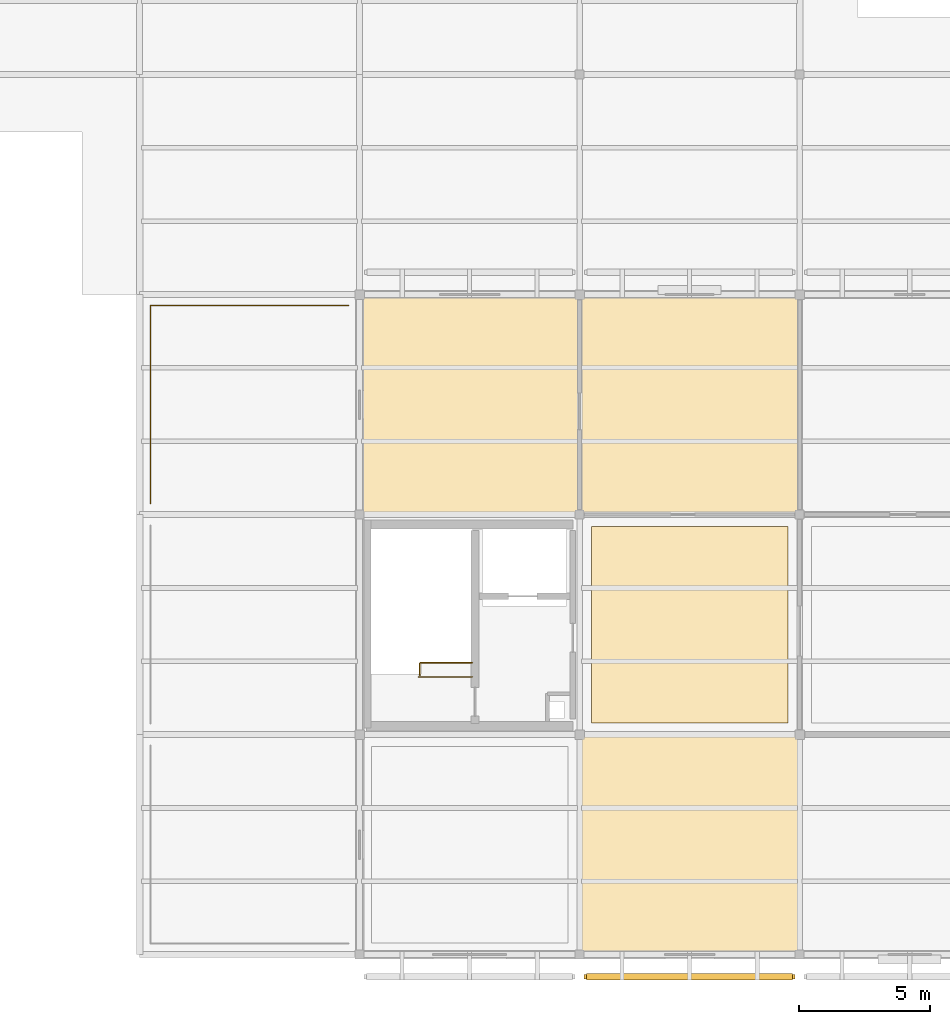
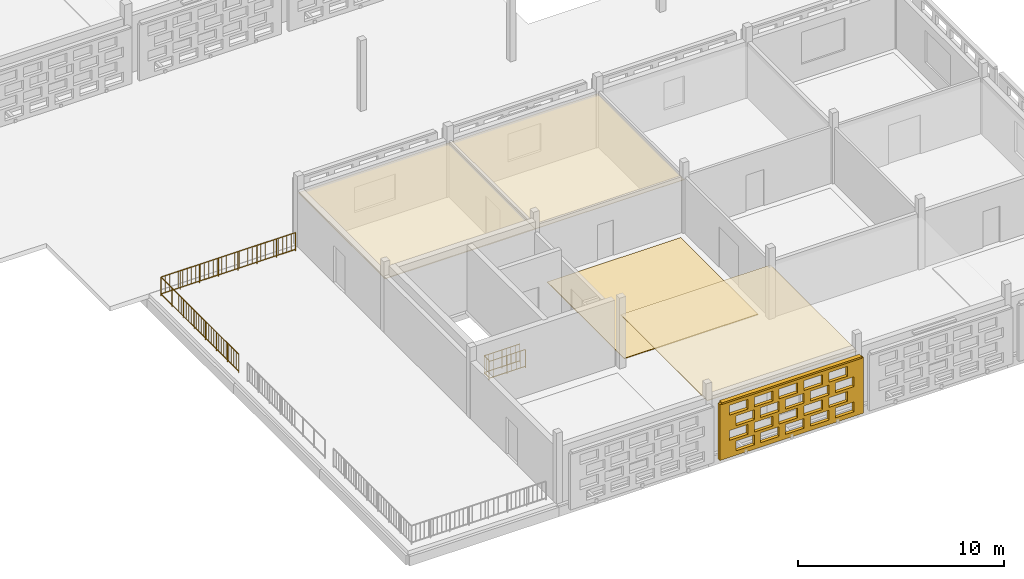
# One storey, part 80 of 103: 5 coverings, 4 railings, 1 shading device, 20 openings.
"""IFC4 building model written with IfcOpenShell, lengths in metres."""

from ifc_helpers import new_model, si_unit, direction, frame, frame_2d, origin, origin_2d, place, context, subcontext, project, spatial, rectangle, circle, extrude, material, layer, layer_set, type_object, element, save


model = new_model("IFC4")

# Units and contexts
model_context = context("Model", 3, precision=1e-05, world=origin(), true_north=direction((0.0, 1.0)))
body_context = subcontext(model_context, "Body", "Model", "MODEL_VIEW")
ifc_project = project(units=[si_unit("LENGTHUNIT", "METRE"), si_unit("AREAUNIT", "SQUARE_METRE"), si_unit("VOLUMEUNIT", "CUBIC_METRE"), si_unit("PLANEANGLEUNIT", "RADIAN"), si_unit("MASSUNIT", "GRAM", prefix="KILO")], contexts=[model_context])

# Site, building, storey
site_placement = place(None, origin())
site = spatial("IfcSite", under=ifc_project, at=site_placement, CompositionType="ELEMENT")
building_placement = place(site_placement, origin())
building = spatial("IfcBuilding", under=site, at=building_placement, Name="Varnapada Polytechnic", CompositionType="ELEMENT")
storey_placement = place(building_placement, frame((0.0, 0.0, 18.0)))
storey = spatial("IfcBuildingStorey", under=building, at=storey_placement, Name="L04", CompositionType="ELEMENT", Elevation=18.0)

# Covering
ifc_material_1 = material(Name="Acoustic Rubber Seminar Flooring")
ifc_layer_1 = layer(ifc_material_1, 0.0400390625)
ifc_layer_set_1 = layer_set([ifc_layer_1], Name="Acoustic Rubber Seminar Flooring")
covering_type_1 = type_object("IfcCoveringType", Name="Floor Finish FLR-06", PredefinedType="FLOORING", material=ifc_layer_set_1)
covering_1_placement = place(storey_placement, frame((29.39990234375, 21.0, 0.0), z_axis=(0.0, 0.0, 1.0), x_axis=(1.0, 0.0, 0.0)))
element("IfcCovering", 1, at=covering_1_placement, inside=storey, type_object=covering_type_1, Name="L04 floor finish panel (4,3)", PredefinedType="FLOORING", context=body_context, shape_type="SweptSolid", body=[
    extrude(rectangle(XDim=7.5, YDim=7.5, at=origin_2d()), origin(), (0.0, 0.0, 1.0), 0.0400390625),
])

# Railings
ifc_material_2 = material(Name="Brushed Stainless Steel 316", Category="steel")
railing_type_1 = type_object("IfcRailingType", Name="Stair Well Guard Rail SGR-01", PredefinedType="BALUSTRADE", material=ifc_material_2)
railing_1_placement = place(storey_placement, frame((21.10009765625, 19.0, 0.0)))
element("IfcRailing", 2, at=railing_1_placement, inside=storey, type_object=railing_type_1, Name="L04 ST-3 top well guard 1", PredefinedType="BALUSTRADE", context=body_context, shape_type="SweptSolid", body=[
    extrude(circle(Radius=0.02392578125, at=origin_2d()), frame((0.0, 0.0, 1.09619140625), z_axis=(-1.0, 0.0, 0.0), x_axis=(0.0, -1.0, 0.0)), (0.0, 0.0, 1.0), 2.050048828125),
    extrude(circle(Radius=0.02392578125, at=origin_2d()), frame((0.0, 0.0, 0.10009765625), z_axis=(-1.0, 0.0, 0.0), x_axis=(0.0, -1.0, 0.0)), (0.0, 0.0, 1.0), 2.050048828125),
    extrude(circle(Radius=0.02099609375, at=origin_2d()), origin(), (0.0, 0.0, 1.0), 1.072021484375),
    extrude(circle(Radius=0.02099609375, at=origin_2d()), frame((-1.02490234375, 0.0, 0.0)), (0.0, 0.0, 1.0), 1.072021484375),
    extrude(circle(Radius=0.02099609375, at=origin_2d()), frame((-2.050048828125, 0.0, 0.0)), (0.0, 0.0, 1.0), 1.072021484375),
    extrude(circle(Radius=0.010009765625, at=origin_2d()), frame((-0.25634765625, 0.0, 0.10009765625)), (0.0, 0.0, 1.0), 0.971923828125),
    extrude(circle(Radius=0.010009765625, at=origin_2d()), frame((-0.512451171875, 0.0, 0.10009765625)), (0.0, 0.0, 1.0), 0.971923828125),
    extrude(circle(Radius=0.010009765625, at=origin_2d()), frame((-0.768798828125, 0.0, 0.10009765625)), (0.0, 0.0, 1.0), 0.971923828125),
    extrude(circle(Radius=0.010009765625, at=origin_2d()), frame((-1.02490234375, 0.0, 0.10009765625)), (0.0, 0.0, 1.0), 0.971923828125),
    extrude(circle(Radius=0.010009765625, at=origin_2d()), frame((-1.28125, 0.0, 0.10009765625)), (0.0, 0.0, 1.0), 0.971923828125),
    extrude(circle(Radius=0.010009765625, at=origin_2d()), frame((-1.53759765625, 0.0, 0.10009765625)), (0.0, 0.0, 1.0), 0.971923828125),
    extrude(circle(Radius=0.010009765625, at=origin_2d()), frame((-1.793701171875, 0.0, 0.10009765625)), (0.0, 0.0, 1.0), 0.971923828125),
])
railing_2_placement = place(storey_placement, frame((19.10009765625, 19.050048828125, 0.0)))
element("IfcRailing", 3, at=railing_2_placement, inside=storey, type_object=railing_type_1, Name="L04 C3 top stair-well guard", PredefinedType="BALUSTRADE", context=body_context, shape_type="SweptSolid", body=[
    extrude(circle(Radius=0.02392578125, at=origin_2d()), frame((0.0, 0.0, 1.09619140625), z_axis=(0.0, 1.0, 0.0), x_axis=(-1.0, 0.0, 0.0)), (0.0, 0.0, 1.0), 0.489990234375),
    extrude(circle(Radius=0.02392578125, at=origin_2d()), frame((0.0, 0.0, 0.10009765625), z_axis=(0.0, 1.0, 0.0), x_axis=(-1.0, 0.0, 0.0)), (0.0, 0.0, 1.0), 0.489990234375),
    extrude(circle(Radius=0.02392578125, at=origin_2d()), frame((0.0, 0.489990234375, 1.09619140625), z_axis=(1.0, 0.0, 0.0), x_axis=(0.0, 1.0, 0.0)), (0.0, 0.0, 1.0), 2.0),
    extrude(circle(Radius=0.02392578125, at=origin_2d()), frame((0.0, 0.489990234375, 0.10009765625), z_axis=(1.0, 0.0, 0.0), x_axis=(0.0, 1.0, 0.0)), (0.0, 0.0, 1.0), 2.0),
    extrude(circle(Radius=0.02099609375, at=origin_2d()), origin(), (0.0, 0.0, 1.0), 1.072021484375),
    extrude(circle(Radius=0.02099609375, at=origin_2d()), frame((0.0, 0.489990234375, 0.0)), (0.0, 0.0, 1.0), 1.072021484375),
    extrude(circle(Radius=0.02099609375, at=origin_2d()), frame((1.0, 0.489990234375, 0.0)), (0.0, 0.0, 1.0), 1.072021484375),
    extrude(circle(Radius=0.02099609375, at=origin_2d()), frame((2.0, 0.489990234375, 0.0)), (0.0, 0.0, 1.0), 1.072021484375),
    extrude(circle(Radius=0.010009765625, at=origin_2d()), frame((0.0, 0.2451171875, 0.10009765625)), (0.0, 0.0, 1.0), 0.971923828125),
    extrude(circle(Radius=0.010009765625, at=origin_2d()), frame((0.25, 0.489990234375, 0.10009765625)), (0.0, 0.0, 1.0), 0.971923828125),
    extrude(circle(Radius=0.010009765625, at=origin_2d()), frame((0.5, 0.489990234375, 0.10009765625)), (0.0, 0.0, 1.0), 0.971923828125),
    extrude(circle(Radius=0.010009765625, at=origin_2d()), frame((0.75, 0.489990234375, 0.10009765625)), (0.0, 0.0, 1.0), 0.971923828125),
    extrude(circle(Radius=0.010009765625, at=origin_2d()), frame((1.0, 0.489990234375, 0.10009765625)), (0.0, 0.0, 1.0), 0.971923828125),
    extrude(circle(Radius=0.010009765625, at=origin_2d()), frame((1.25, 0.489990234375, 0.10009765625)), (0.0, 0.0, 1.0), 0.971923828125),
    extrude(circle(Radius=0.010009765625, at=origin_2d()), frame((1.5, 0.489990234375, 0.10009765625)), (0.0, 0.0, 1.0), 0.971923828125),
    extrude(circle(Radius=0.010009765625, at=origin_2d()), frame((1.75, 0.489990234375, 0.10009765625)), (0.0, 0.0, 1.0), 0.971923828125),
])

# Coverings
ifc_material_3 = material(Name="Mineral Fibre Acoustic Ceiling Tile")
ifc_layer_2 = layer(ifc_material_3, 0.0400390625)
ifc_layer_set_2 = layer_set([ifc_layer_2], Name="Mineral Fibre Acoustic Ceiling Tile")
covering_type_2 = type_object("IfcCoveringType", Name="Suspended Ceiling CLG-01", PredefinedType="CEILING", material=ifc_layer_set_2)
covering_2_placement = place(storey_placement, frame((29.39990234375, 12.60009765625, 3.030029296875), z_axis=(0.0, 0.0, 1.0), x_axis=(1.0, 0.0, 0.0)))
element("IfcCovering", 4, at=covering_2_placement, inside=storey, type_object=covering_type_2, Name="L04 suspended acoustic ceiling (4,2)", PredefinedType="CEILING", context=body_context, shape_type="SweptSolid", body=[
    extrude(rectangle(XDim=8.419921875, YDim=8.419921875, at=origin_2d()), origin(), (0.0, 0.0, 1.0), 0.0400390625),
])
ifc_material_4 = material(Name="Moisture-Resistant Aluminum Baffle Ceiling", Category="aluminium")
ifc_layer_3 = layer(ifc_material_4, 0.030029296875)
ifc_layer_set_3 = layer_set([ifc_layer_3], Name="Moisture-Resistant Aluminum Baffle Ceiling")
covering_type_3 = type_object("IfcCoveringType", Name="Suspended Ceiling CLG-03", PredefinedType="CEILING", material=ifc_layer_set_3)
covering_3_placement = place(storey_placement, frame((29.39990234375, 29.39990234375, 3.03515625), z_axis=(0.0, 0.0, 1.0), x_axis=(1.0, 0.0, 0.0)))
element("IfcCovering", 5, at=covering_3_placement, inside=storey, type_object=covering_type_3, Name="L04 suspended acoustic ceiling (4,4)", PredefinedType="CEILING", context=body_context, shape_type="SweptSolid", body=[
    extrude(rectangle(XDim=8.419921875, YDim=8.419921875, at=origin_2d()), origin(), (0.0, 0.0, 1.0), 0.030029296875),
])
ifc_material_5 = material(Name="Slatted Merbau Timber Acoustic Ceiling", Category="wood")
ifc_layer_4 = layer(ifc_material_5, 0.054931640625)
ifc_layer_set_4 = layer_set([ifc_layer_4], Name="Slatted Merbau Timber Acoustic Ceiling")
covering_type_4 = type_object("IfcCoveringType", Name="Suspended Ceiling CLG-05", PredefinedType="CEILING", material=ifc_layer_set_4)
covering_4_placement = place(storey_placement, frame((21.0, 29.39990234375, 3.0224609375), z_axis=(0.0, 0.0, 1.0), x_axis=(1.0, 0.0, 0.0)))
element("IfcCovering", 6, at=covering_4_placement, inside=storey, type_object=covering_type_4, Name="L04 suspended acoustic ceiling (3,4)", PredefinedType="CEILING", context=body_context, shape_type="SweptSolid", body=[
    extrude(rectangle(XDim=8.419921875, YDim=8.419921875, at=origin_2d()), origin(), (0.0, 0.0, 1.0), 0.054931640625),
])

# Railings
ifc_material_6 = material(Name="Painted galvanized steel", Category="steel")
railing_type_2 = type_object("IfcRailingType", Name="Terrace Guard Rail GRD-01", PredefinedType="BALUSTRADE", material=ifc_material_6)
railing_3_placement = place(storey_placement, frame((8.820068359375, 33.179931640625, 0.0)))
element("IfcRailing", 7, at=railing_3_placement, inside=storey, type_object=railing_type_2, Name="L04 terrace perimeter guard rail 4", PredefinedType="BALUSTRADE", context=body_context, shape_type="SweptSolid", body=[
    extrude(circle(Radius=0.02392578125, at=origin_2d()), frame((0.0, 0.0, 1.09619140625), z_axis=(1.0, 0.0, 0.0), x_axis=(0.0, 1.0, 0.0)), (0.0, 0.0, 1.0), 7.559814453125),
    extrude(circle(Radius=0.02392578125, at=origin_2d()), frame((0.0, 0.0, 0.10009765625), z_axis=(1.0, 0.0, 0.0), x_axis=(0.0, 1.0, 0.0)), (0.0, 0.0, 1.0), 7.559814453125),
    extrude(circle(Radius=0.02099609375, at=origin_2d()), origin(), (0.0, 0.0, 1.0), 1.072021484375),
    extrude(circle(Radius=0.02099609375, at=origin_2d()), frame((1.080078125, 0.0, 0.0)), (0.0, 0.0, 1.0), 1.072021484375),
    extrude(circle(Radius=0.02099609375, at=origin_2d()), frame((2.159912109375, 0.0, 0.0)), (0.0, 0.0, 1.0), 1.072021484375),
    extrude(circle(Radius=0.02099609375, at=origin_2d()), frame((3.239990234375, 0.0, 0.0)), (0.0, 0.0, 1.0), 1.072021484375),
    extrude(circle(Radius=0.02099609375, at=origin_2d()), frame((4.31982421875, 0.0, 0.0)), (0.0, 0.0, 1.0), 1.072021484375),
    extrude(circle(Radius=0.02099609375, at=origin_2d()), frame((5.39990234375, 0.0, 0.0)), (0.0, 0.0, 1.0), 1.072021484375),
    extrude(circle(Radius=0.02099609375, at=origin_2d()), frame((6.479736328125, 0.0, 0.0)), (0.0, 0.0, 1.0), 1.072021484375),
    extrude(circle(Radius=0.02099609375, at=origin_2d()), frame((7.559814453125, 0.0, 0.0)), (0.0, 0.0, 1.0), 1.072021484375),
    extrude(circle(Radius=0.010009765625, at=origin_2d()), frame((0.243896484375, 0.0, 0.10009765625)), (0.0, 0.0, 1.0), 0.971923828125),
    extrude(circle(Radius=0.010009765625, at=origin_2d()), frame((0.48779296875, 0.0, 0.10009765625)), (0.0, 0.0, 1.0), 0.971923828125),
    extrude(circle(Radius=0.010009765625, at=origin_2d()), frame((0.731689453125, 0.0, 0.10009765625)), (0.0, 0.0, 1.0), 0.971923828125),
    extrude(circle(Radius=0.010009765625, at=origin_2d()), frame((0.975341796875, 0.0, 0.10009765625)), (0.0, 0.0, 1.0), 0.971923828125),
    extrude(circle(Radius=0.010009765625, at=origin_2d()), frame((1.21923828125, 0.0, 0.10009765625)), (0.0, 0.0, 1.0), 0.971923828125),
    extrude(circle(Radius=0.010009765625, at=origin_2d()), frame((1.463134765625, 0.0, 0.10009765625)), (0.0, 0.0, 1.0), 0.971923828125),
    extrude(circle(Radius=0.010009765625, at=origin_2d()), frame((1.70703125, 0.0, 0.10009765625)), (0.0, 0.0, 1.0), 0.971923828125),
    extrude(circle(Radius=0.010009765625, at=origin_2d()), frame((1.950927734375, 0.0, 0.10009765625)), (0.0, 0.0, 1.0), 0.971923828125),
    extrude(circle(Radius=0.010009765625, at=origin_2d()), frame((2.19482421875, 0.0, 0.10009765625)), (0.0, 0.0, 1.0), 0.971923828125),
    extrude(circle(Radius=0.010009765625, at=origin_2d()), frame((2.438720703125, 0.0, 0.10009765625)), (0.0, 0.0, 1.0), 0.971923828125),
    extrude(circle(Radius=0.010009765625, at=origin_2d()), frame((2.6826171875, 0.0, 0.10009765625)), (0.0, 0.0, 1.0), 0.971923828125),
    extrude(circle(Radius=0.010009765625, at=origin_2d()), frame((2.92626953125, 0.0, 0.10009765625)), (0.0, 0.0, 1.0), 0.971923828125),
    extrude(circle(Radius=0.010009765625, at=origin_2d()), frame((3.170166015625, 0.0, 0.10009765625)), (0.0, 0.0, 1.0), 0.971923828125),
    extrude(circle(Radius=0.010009765625, at=origin_2d()), frame((3.4140625, 0.0, 0.10009765625)), (0.0, 0.0, 1.0), 0.971923828125),
    extrude(circle(Radius=0.010009765625, at=origin_2d()), frame((3.657958984375, 0.0, 0.10009765625)), (0.0, 0.0, 1.0), 0.971923828125),
    extrude(circle(Radius=0.010009765625, at=origin_2d()), frame((3.90185546875, 0.0, 0.10009765625)), (0.0, 0.0, 1.0), 0.971923828125),
    extrude(circle(Radius=0.010009765625, at=origin_2d()), frame((4.145751953125, 0.0, 0.10009765625)), (0.0, 0.0, 1.0), 0.971923828125),
    extrude(circle(Radius=0.010009765625, at=origin_2d()), frame((4.3896484375, 0.0, 0.10009765625)), (0.0, 0.0, 1.0), 0.971923828125),
    extrude(circle(Radius=0.010009765625, at=origin_2d()), frame((4.633544921875, 0.0, 0.10009765625)), (0.0, 0.0, 1.0), 0.971923828125),
    extrude(circle(Radius=0.010009765625, at=origin_2d()), frame((4.877197265625, 0.0, 0.10009765625)), (0.0, 0.0, 1.0), 0.971923828125),
    extrude(circle(Radius=0.010009765625, at=origin_2d()), frame((5.12109375, 0.0, 0.10009765625)), (0.0, 0.0, 1.0), 0.971923828125),
    extrude(circle(Radius=0.010009765625, at=origin_2d()), frame((5.364990234375, 0.0, 0.10009765625)), (0.0, 0.0, 1.0), 0.971923828125),
    extrude(circle(Radius=0.010009765625, at=origin_2d()), frame((5.60888671875, 0.0, 0.10009765625)), (0.0, 0.0, 1.0), 0.971923828125),
    extrude(circle(Radius=0.010009765625, at=origin_2d()), frame((5.852783203125, 0.0, 0.10009765625)), (0.0, 0.0, 1.0), 0.971923828125),
    extrude(circle(Radius=0.010009765625, at=origin_2d()), frame((6.0966796875, 0.0, 0.10009765625)), (0.0, 0.0, 1.0), 0.971923828125),
    extrude(circle(Radius=0.010009765625, at=origin_2d()), frame((6.340576171875, 0.0, 0.10009765625)), (0.0, 0.0, 1.0), 0.971923828125),
    extrude(circle(Radius=0.010009765625, at=origin_2d()), frame((6.58447265625, 0.0, 0.10009765625)), (0.0, 0.0, 1.0), 0.971923828125),
    extrude(circle(Radius=0.010009765625, at=origin_2d()), frame((6.828125, 0.0, 0.10009765625)), (0.0, 0.0, 1.0), 0.971923828125),
    extrude(circle(Radius=0.010009765625, at=origin_2d()), frame((7.072021484375, 0.0, 0.10009765625)), (0.0, 0.0, 1.0), 0.971923828125),
    extrude(circle(Radius=0.010009765625, at=origin_2d()), frame((7.31591796875, 0.0, 0.10009765625)), (0.0, 0.0, 1.0), 0.971923828125),
])
railing_4_placement = place(storey_placement, frame((8.820068359375, 25.6201171875, 0.0)))
element("IfcRailing", 8, at=railing_4_placement, inside=storey, type_object=railing_type_2, Name="L04 terrace perimeter guard rail 5", PredefinedType="BALUSTRADE", context=body_context, shape_type="SweptSolid", body=[
    extrude(circle(Radius=0.02392578125, at=origin_2d()), frame((0.0, 0.0, 1.09619140625), z_axis=(0.0, 1.0, 0.0), x_axis=(-1.0, 0.0, 0.0)), (0.0, 0.0, 1.0), 7.559814453125),
    extrude(circle(Radius=0.02392578125, at=origin_2d()), frame((0.0, 0.0, 0.10009765625), z_axis=(0.0, 1.0, 0.0), x_axis=(-1.0, 0.0, 0.0)), (0.0, 0.0, 1.0), 7.559814453125),
    extrude(circle(Radius=0.02099609375, at=origin_2d()), origin(), (0.0, 0.0, 1.0), 1.072021484375),
    extrude(circle(Radius=0.02099609375, at=origin_2d()), frame((0.0, 1.080078125, 0.0)), (0.0, 0.0, 1.0), 1.072021484375),
    extrude(circle(Radius=0.02099609375, at=origin_2d()), frame((0.0, 2.159912109375, 0.0)), (0.0, 0.0, 1.0), 1.072021484375),
    extrude(circle(Radius=0.02099609375, at=origin_2d()), frame((0.0, 3.239990234375, 0.0)), (0.0, 0.0, 1.0), 1.072021484375),
    extrude(circle(Radius=0.02099609375, at=origin_2d()), frame((0.0, 4.31982421875, 0.0)), (0.0, 0.0, 1.0), 1.072021484375),
    extrude(circle(Radius=0.02099609375, at=origin_2d()), frame((0.0, 5.39990234375, 0.0)), (0.0, 0.0, 1.0), 1.072021484375),
    extrude(circle(Radius=0.02099609375, at=origin_2d()), frame((0.0, 6.479736328125, 0.0)), (0.0, 0.0, 1.0), 1.072021484375),
    extrude(circle(Radius=0.02099609375, at=origin_2d()), frame((0.0, 7.559814453125, 0.0)), (0.0, 0.0, 1.0), 1.072021484375),
    extrude(circle(Radius=0.010009765625, at=origin_2d()), frame((0.0, 0.243896484375, 0.10009765625)), (0.0, 0.0, 1.0), 0.971923828125),
    extrude(circle(Radius=0.010009765625, at=origin_2d()), frame((0.0, 0.48779296875, 0.10009765625)), (0.0, 0.0, 1.0), 0.971923828125),
    extrude(circle(Radius=0.010009765625, at=origin_2d()), frame((0.0, 0.731689453125, 0.10009765625)), (0.0, 0.0, 1.0), 0.971923828125),
    extrude(circle(Radius=0.010009765625, at=origin_2d()), frame((0.0, 0.975341796875, 0.10009765625)), (0.0, 0.0, 1.0), 0.971923828125),
    extrude(circle(Radius=0.010009765625, at=origin_2d()), frame((0.0, 1.21923828125, 0.10009765625)), (0.0, 0.0, 1.0), 0.971923828125),
    extrude(circle(Radius=0.010009765625, at=origin_2d()), frame((0.0, 1.463134765625, 0.10009765625)), (0.0, 0.0, 1.0), 0.971923828125),
    extrude(circle(Radius=0.010009765625, at=origin_2d()), frame((0.0, 1.70703125, 0.10009765625)), (0.0, 0.0, 1.0), 0.971923828125),
    extrude(circle(Radius=0.010009765625, at=origin_2d()), frame((0.0, 1.950927734375, 0.10009765625)), (0.0, 0.0, 1.0), 0.971923828125),
    extrude(circle(Radius=0.010009765625, at=origin_2d()), frame((0.0, 2.19482421875, 0.10009765625)), (0.0, 0.0, 1.0), 0.971923828125),
    extrude(circle(Radius=0.010009765625, at=origin_2d()), frame((0.0, 2.438720703125, 0.10009765625)), (0.0, 0.0, 1.0), 0.971923828125),
    extrude(circle(Radius=0.010009765625, at=origin_2d()), frame((0.0, 2.6826171875, 0.10009765625)), (0.0, 0.0, 1.0), 0.971923828125),
    extrude(circle(Radius=0.010009765625, at=origin_2d()), frame((0.0, 2.92626953125, 0.10009765625)), (0.0, 0.0, 1.0), 0.971923828125),
    extrude(circle(Radius=0.010009765625, at=origin_2d()), frame((0.0, 3.170166015625, 0.10009765625)), (0.0, 0.0, 1.0), 0.971923828125),
    extrude(circle(Radius=0.010009765625, at=origin_2d()), frame((0.0, 3.4140625, 0.10009765625)), (0.0, 0.0, 1.0), 0.971923828125),
    extrude(circle(Radius=0.010009765625, at=origin_2d()), frame((0.0, 3.657958984375, 0.10009765625)), (0.0, 0.0, 1.0), 0.971923828125),
    extrude(circle(Radius=0.010009765625, at=origin_2d()), frame((0.0, 3.90185546875, 0.10009765625)), (0.0, 0.0, 1.0), 0.971923828125),
    extrude(circle(Radius=0.010009765625, at=origin_2d()), frame((0.0, 4.145751953125, 0.10009765625)), (0.0, 0.0, 1.0), 0.971923828125),
    extrude(circle(Radius=0.010009765625, at=origin_2d()), frame((0.0, 4.3896484375, 0.10009765625)), (0.0, 0.0, 1.0), 0.971923828125),
    extrude(circle(Radius=0.010009765625, at=origin_2d()), frame((0.0, 4.633544921875, 0.10009765625)), (0.0, 0.0, 1.0), 0.971923828125),
    extrude(circle(Radius=0.010009765625, at=origin_2d()), frame((0.0, 4.877197265625, 0.10009765625)), (0.0, 0.0, 1.0), 0.971923828125),
    extrude(circle(Radius=0.010009765625, at=origin_2d()), frame((0.0, 5.12109375, 0.10009765625)), (0.0, 0.0, 1.0), 0.971923828125),
    extrude(circle(Radius=0.010009765625, at=origin_2d()), frame((0.0, 5.364990234375, 0.10009765625)), (0.0, 0.0, 1.0), 0.971923828125),
    extrude(circle(Radius=0.010009765625, at=origin_2d()), frame((0.0, 5.60888671875, 0.10009765625)), (0.0, 0.0, 1.0), 0.971923828125),
    extrude(circle(Radius=0.010009765625, at=origin_2d()), frame((0.0, 5.852783203125, 0.10009765625)), (0.0, 0.0, 1.0), 0.971923828125),
    extrude(circle(Radius=0.010009765625, at=origin_2d()), frame((0.0, 6.0966796875, 0.10009765625)), (0.0, 0.0, 1.0), 0.971923828125),
    extrude(circle(Radius=0.010009765625, at=origin_2d()), frame((0.0, 6.340576171875, 0.10009765625)), (0.0, 0.0, 1.0), 0.971923828125),
    extrude(circle(Radius=0.010009765625, at=origin_2d()), frame((0.0, 6.58447265625, 0.10009765625)), (0.0, 0.0, 1.0), 0.971923828125),
    extrude(circle(Radius=0.010009765625, at=origin_2d()), frame((0.0, 6.828125, 0.10009765625)), (0.0, 0.0, 1.0), 0.971923828125),
    extrude(circle(Radius=0.010009765625, at=origin_2d()), frame((0.0, 7.072021484375, 0.10009765625)), (0.0, 0.0, 1.0), 0.971923828125),
    extrude(circle(Radius=0.010009765625, at=origin_2d()), frame((0.0, 7.31591796875, 0.10009765625)), (0.0, 0.0, 1.0), 0.971923828125),
])

# Covering, openings
ifc_material_7 = material(Name="Earth-toned architectural terracotta screen block", Category="masonry")
ifc_layer_5 = layer(ifc_material_7, 0.1201171875)
ifc_layer_set_5 = layer_set([ifc_layer_5], Name="Earth-toned architectural terracotta screen block")
covering_type_5 = type_object("IfcCoveringType", Name="Terracotta Screen Cladding CLD-01", PredefinedType="CLADDING", material=ifc_layer_set_5)
covering_5_placement = place(storey_placement, frame((33.429931640625, 7.550048828125, 0.0), z_axis=(0.0, 0.0, 1.0), x_axis=(-1.0, 0.0, 0.0)))
covering_5 = element("IfcCovering", 9, at=covering_5_placement, inside=storey, type_object=covering_type_5, Name="L04 perforated terracotta block screen (21)", PredefinedType="CLADDING", context=body_context, shape_type="SweptSolid", body=[
    extrude(rectangle(XDim=8.059814453125, YDim=0.179931640625, at=frame_2d((4.02978515625, 0.0))), origin(), (0.0, 0.0, 1.0), 3.320068359375),
])
opening_1_placement = place(covering_5_placement, frame((0.530029296875, 0.0, 0.265625)))
element("IfcOpeningElement", 10, at=opening_1_placement, cuts=covering_5, Name="Screen perforation TBS-L04-020.1", PredefinedType="OPENING", context=body_context, shape_type="SweptSolid", body=[
    extrude(rectangle(XDim=1.0400390625, YDim=0.5810546875, at=frame_2d((0.52001953125, 0.29052734375))), frame((0.0, 0.099853515625, 0.0), z_axis=(0.0, -1.0, 0.0), x_axis=(1.0, 0.0, 0.0)), (0.0, 0.0, 1.0), 0.199951171875),
])
opening_2_placement = place(covering_5_placement, frame((1.929931640625, 0.0, 0.265625)))
element("IfcOpeningElement", 11, at=opening_2_placement, cuts=covering_5, Name="Screen perforation TBS-L04-020.2", PredefinedType="OPENING", context=body_context, shape_type="SweptSolid", body=[
    extrude(rectangle(XDim=1.0400390625, YDim=0.5810546875, at=frame_2d((0.52001953125, 0.29052734375))), frame((0.0, 0.099853515625, 0.0), z_axis=(0.0, -1.0, 0.0), x_axis=(1.0, 0.0, 0.0)), (0.0, 0.0, 1.0), 0.199951171875),
])
opening_3_placement = place(covering_5_placement, frame((3.330078125, 0.0, 0.265625)))
element("IfcOpeningElement", 12, at=opening_3_placement, cuts=covering_5, Name="Screen perforation TBS-L04-020.3", PredefinedType="OPENING", context=body_context, shape_type="SweptSolid", body=[
    extrude(rectangle(XDim=1.0400390625, YDim=0.5810546875, at=frame_2d((0.52001953125, 0.29052734375))), frame((0.0, 0.099853515625, 0.0), z_axis=(0.0, -1.0, 0.0), x_axis=(1.0, 0.0, 0.0)), (0.0, 0.0, 1.0), 0.199951171875),
])
opening_4_placement = place(covering_5_placement, frame((4.72998046875, 0.0, 0.265625)))
element("IfcOpeningElement", 13, at=opening_4_placement, cuts=covering_5, Name="Screen perforation TBS-L04-020.4", PredefinedType="OPENING", context=body_context, shape_type="SweptSolid", body=[
    extrude(rectangle(XDim=1.0400390625, YDim=0.5810546875, at=frame_2d((0.52001953125, 0.29052734375))), frame((0.0, 0.099853515625, 0.0), z_axis=(0.0, -1.0, 0.0), x_axis=(1.0, 0.0, 0.0)), (0.0, 0.0, 1.0), 0.199951171875),
])
opening_5_placement = place(covering_5_placement, frame((6.1298828125, 0.0, 0.265625)))
element("IfcOpeningElement", 14, at=opening_5_placement, cuts=covering_5, Name="Screen perforation TBS-L04-020.5", PredefinedType="OPENING", context=body_context, shape_type="SweptSolid", body=[
    extrude(rectangle(XDim=1.0400390625, YDim=0.5810546875, at=frame_2d((0.52001953125, 0.29052734375))), frame((0.0, 0.099853515625, 0.0), z_axis=(0.0, -1.0, 0.0), x_axis=(1.0, 0.0, 0.0)), (0.0, 0.0, 1.0), 0.199951171875),
])
opening_6_placement = place(covering_5_placement, frame((0.889892578125, 0.0, 1.0126953125)))
element("IfcOpeningElement", 15, at=opening_6_placement, cuts=covering_5, Name="Screen perforation TBS-L04-020.6", PredefinedType="OPENING", context=body_context, shape_type="SweptSolid", body=[
    extrude(rectangle(XDim=1.0400390625, YDim=0.5810546875, at=frame_2d((0.52001953125, 0.29052734375))), frame((0.0, 0.099853515625, 0.0), z_axis=(0.0, -1.0, 0.0), x_axis=(1.0, 0.0, 0.0)), (0.0, 0.0, 1.0), 0.199951171875),
])
opening_7_placement = place(covering_5_placement, frame((2.2900390625, 0.0, 1.0126953125)))
element("IfcOpeningElement", 16, at=opening_7_placement, cuts=covering_5, Name="Screen perforation TBS-L04-020.7", PredefinedType="OPENING", context=body_context, shape_type="SweptSolid", body=[
    extrude(rectangle(XDim=1.0400390625, YDim=0.5810546875, at=frame_2d((0.52001953125, 0.29052734375))), frame((0.0, 0.099853515625, 0.0), z_axis=(0.0, -1.0, 0.0), x_axis=(1.0, 0.0, 0.0)), (0.0, 0.0, 1.0), 0.199951171875),
])
opening_8_placement = place(covering_5_placement, frame((3.68994140625, 0.0, 1.0126953125)))
element("IfcOpeningElement", 17, at=opening_8_placement, cuts=covering_5, Name="Screen perforation TBS-L04-020.8", PredefinedType="OPENING", context=body_context, shape_type="SweptSolid", body=[
    extrude(rectangle(XDim=1.0400390625, YDim=0.5810546875, at=frame_2d((0.52001953125, 0.29052734375))), frame((0.0, 0.099853515625, 0.0), z_axis=(0.0, -1.0, 0.0), x_axis=(1.0, 0.0, 0.0)), (0.0, 0.0, 1.0), 0.199951171875),
])
opening_9_placement = place(covering_5_placement, frame((5.090087890625, 0.0, 1.0126953125)))
element("IfcOpeningElement", 18, at=opening_9_placement, cuts=covering_5, Name="Screen perforation TBS-L04-020.9", PredefinedType="OPENING", context=body_context, shape_type="SweptSolid", body=[
    extrude(rectangle(XDim=1.0400390625, YDim=0.5810546875, at=frame_2d((0.52001953125, 0.29052734375))), frame((0.0, 0.099853515625, 0.0), z_axis=(0.0, -1.0, 0.0), x_axis=(1.0, 0.0, 0.0)), (0.0, 0.0, 1.0), 0.199951171875),
])
opening_10_placement = place(covering_5_placement, frame((6.489990234375, 0.0, 1.0126953125)))
element("IfcOpeningElement", 19, at=opening_10_placement, cuts=covering_5, Name="Screen perforation TBS-L04-020.10", PredefinedType="OPENING", context=body_context, shape_type="SweptSolid", body=[
    extrude(rectangle(XDim=1.0400390625, YDim=0.5810546875, at=frame_2d((0.52001953125, 0.29052734375))), frame((0.0, 0.099853515625, 0.0), z_axis=(0.0, -1.0, 0.0), x_axis=(1.0, 0.0, 0.0)), (0.0, 0.0, 1.0), 0.199951171875),
])
opening_11_placement = place(covering_5_placement, frame((0.530029296875, 0.0, 1.759521484375)))
element("IfcOpeningElement", 20, at=opening_11_placement, cuts=covering_5, Name="Screen perforation TBS-L04-020.11", PredefinedType="OPENING", context=body_context, shape_type="SweptSolid", body=[
    extrude(rectangle(XDim=1.0400390625, YDim=0.5810546875, at=frame_2d((0.52001953125, 0.29052734375))), frame((0.0, 0.099853515625, 0.0), z_axis=(0.0, -1.0, 0.0), x_axis=(1.0, 0.0, 0.0)), (0.0, 0.0, 1.0), 0.199951171875),
])
opening_12_placement = place(covering_5_placement, frame((1.929931640625, 0.0, 1.759521484375)))
element("IfcOpeningElement", 21, at=opening_12_placement, cuts=covering_5, Name="Screen perforation TBS-L04-020.12", PredefinedType="OPENING", context=body_context, shape_type="SweptSolid", body=[
    extrude(rectangle(XDim=1.0400390625, YDim=0.5810546875, at=frame_2d((0.52001953125, 0.29052734375))), frame((0.0, 0.099853515625, 0.0), z_axis=(0.0, -1.0, 0.0), x_axis=(1.0, 0.0, 0.0)), (0.0, 0.0, 1.0), 0.199951171875),
])
opening_13_placement = place(covering_5_placement, frame((3.330078125, 0.0, 1.759521484375)))
element("IfcOpeningElement", 22, at=opening_13_placement, cuts=covering_5, Name="Screen perforation TBS-L04-020.13", PredefinedType="OPENING", context=body_context, shape_type="SweptSolid", body=[
    extrude(rectangle(XDim=1.0400390625, YDim=0.5810546875, at=frame_2d((0.52001953125, 0.29052734375))), frame((0.0, 0.099853515625, 0.0), z_axis=(0.0, -1.0, 0.0), x_axis=(1.0, 0.0, 0.0)), (0.0, 0.0, 1.0), 0.199951171875),
])
opening_14_placement = place(covering_5_placement, frame((4.72998046875, 0.0, 1.759521484375)))
element("IfcOpeningElement", 23, at=opening_14_placement, cuts=covering_5, Name="Screen perforation TBS-L04-020.14", PredefinedType="OPENING", context=body_context, shape_type="SweptSolid", body=[
    extrude(rectangle(XDim=1.0400390625, YDim=0.5810546875, at=frame_2d((0.52001953125, 0.29052734375))), frame((0.0, 0.099853515625, 0.0), z_axis=(0.0, -1.0, 0.0), x_axis=(1.0, 0.0, 0.0)), (0.0, 0.0, 1.0), 0.199951171875),
])
opening_15_placement = place(covering_5_placement, frame((6.1298828125, 0.0, 1.759521484375)))
element("IfcOpeningElement", 24, at=opening_15_placement, cuts=covering_5, Name="Screen perforation TBS-L04-020.15", PredefinedType="OPENING", context=body_context, shape_type="SweptSolid", body=[
    extrude(rectangle(XDim=1.0400390625, YDim=0.5810546875, at=frame_2d((0.52001953125, 0.29052734375))), frame((0.0, 0.099853515625, 0.0), z_axis=(0.0, -1.0, 0.0), x_axis=(1.0, 0.0, 0.0)), (0.0, 0.0, 1.0), 0.199951171875),
])
opening_16_placement = place(covering_5_placement, frame((0.889892578125, 0.0, 2.506591796875)))
element("IfcOpeningElement", 25, at=opening_16_placement, cuts=covering_5, Name="Screen perforation TBS-L04-020.16", PredefinedType="OPENING", context=body_context, shape_type="SweptSolid", body=[
    extrude(rectangle(XDim=1.0400390625, YDim=0.5810546875, at=frame_2d((0.52001953125, 0.29052734375))), frame((0.0, 0.099853515625, 0.0), z_axis=(0.0, -1.0, 0.0), x_axis=(1.0, 0.0, 0.0)), (0.0, 0.0, 1.0), 0.199951171875),
])
opening_17_placement = place(covering_5_placement, frame((2.2900390625, 0.0, 2.506591796875)))
element("IfcOpeningElement", 26, at=opening_17_placement, cuts=covering_5, Name="Screen perforation TBS-L04-020.17", PredefinedType="OPENING", context=body_context, shape_type="SweptSolid", body=[
    extrude(rectangle(XDim=1.0400390625, YDim=0.5810546875, at=frame_2d((0.52001953125, 0.29052734375))), frame((0.0, 0.099853515625, 0.0), z_axis=(0.0, -1.0, 0.0), x_axis=(1.0, 0.0, 0.0)), (0.0, 0.0, 1.0), 0.199951171875),
])
opening_18_placement = place(covering_5_placement, frame((3.68994140625, 0.0, 2.506591796875)))
element("IfcOpeningElement", 27, at=opening_18_placement, cuts=covering_5, Name="Screen perforation TBS-L04-020.18", PredefinedType="OPENING", context=body_context, shape_type="SweptSolid", body=[
    extrude(rectangle(XDim=1.0400390625, YDim=0.5810546875, at=frame_2d((0.52001953125, 0.29052734375))), frame((0.0, 0.099853515625, 0.0), z_axis=(0.0, -1.0, 0.0), x_axis=(1.0, 0.0, 0.0)), (0.0, 0.0, 1.0), 0.199951171875),
])
opening_19_placement = place(covering_5_placement, frame((5.090087890625, 0.0, 2.506591796875)))
element("IfcOpeningElement", 28, at=opening_19_placement, cuts=covering_5, Name="Screen perforation TBS-L04-020.19", PredefinedType="OPENING", context=body_context, shape_type="SweptSolid", body=[
    extrude(rectangle(XDim=1.0400390625, YDim=0.5810546875, at=frame_2d((0.52001953125, 0.29052734375))), frame((0.0, 0.099853515625, 0.0), z_axis=(0.0, -1.0, 0.0), x_axis=(1.0, 0.0, 0.0)), (0.0, 0.0, 1.0), 0.199951171875),
])
opening_20_placement = place(covering_5_placement, frame((6.489990234375, 0.0, 2.506591796875)))
element("IfcOpeningElement", 29, at=opening_20_placement, cuts=covering_5, Name="Screen perforation TBS-L04-020.20", PredefinedType="OPENING", context=body_context, shape_type="SweptSolid", body=[
    extrude(rectangle(XDim=1.0400390625, YDim=0.5810546875, at=frame_2d((0.52001953125, 0.29052734375))), frame((0.0, 0.099853515625, 0.0), z_axis=(0.0, -1.0, 0.0), x_axis=(1.0, 0.0, 0.0)), (0.0, 0.0, 1.0), 0.199951171875),
])

# Shading device
ifc_layer_6 = layer(ifc_material_7, 0.179931640625)
ifc_layer_set_6 = layer_set([ifc_layer_6], Name="Earth-toned architectural terracotta screen block")
shading_device_type = type_object("IfcShadingDeviceType", Name="Terracotta Screen SCR-01", PredefinedType="USERDEFINED", material=ifc_layer_set_6)
shading_device_placement = place(storey_placement, frame((29.39990234375, 7.550048828125, 3.31005859375), z_axis=(0.0, 0.0, 1.0), x_axis=(-1.0, 0.0, 0.0)))
element("IfcShadingDevice", 30, at=shading_device_placement, inside=storey, type_object=shading_device_type, Name="L04 perforated terracotta screen hood 440", ObjectType="SCREEN", PredefinedType="USERDEFINED", context=body_context, shape_type="SweptSolid", body=[
    extrude(rectangle(XDim=7.860107421875, YDim=0.239990234375, at=origin_2d()), origin(), (0.0, 0.0, 1.0), 0.10009765625),
])

save(model, "model.ifc")
